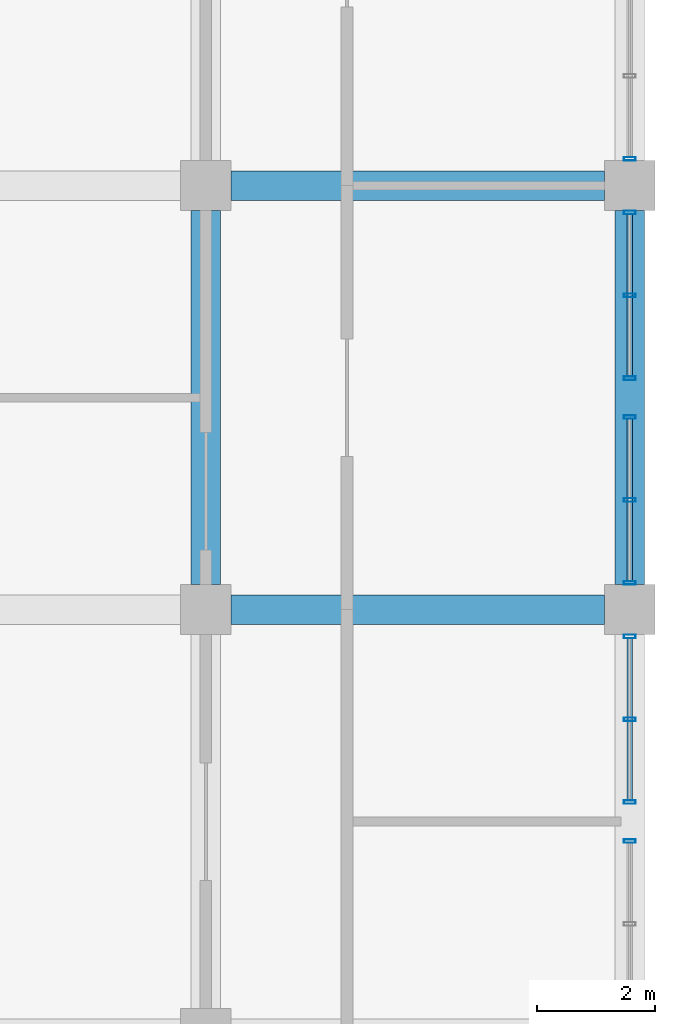
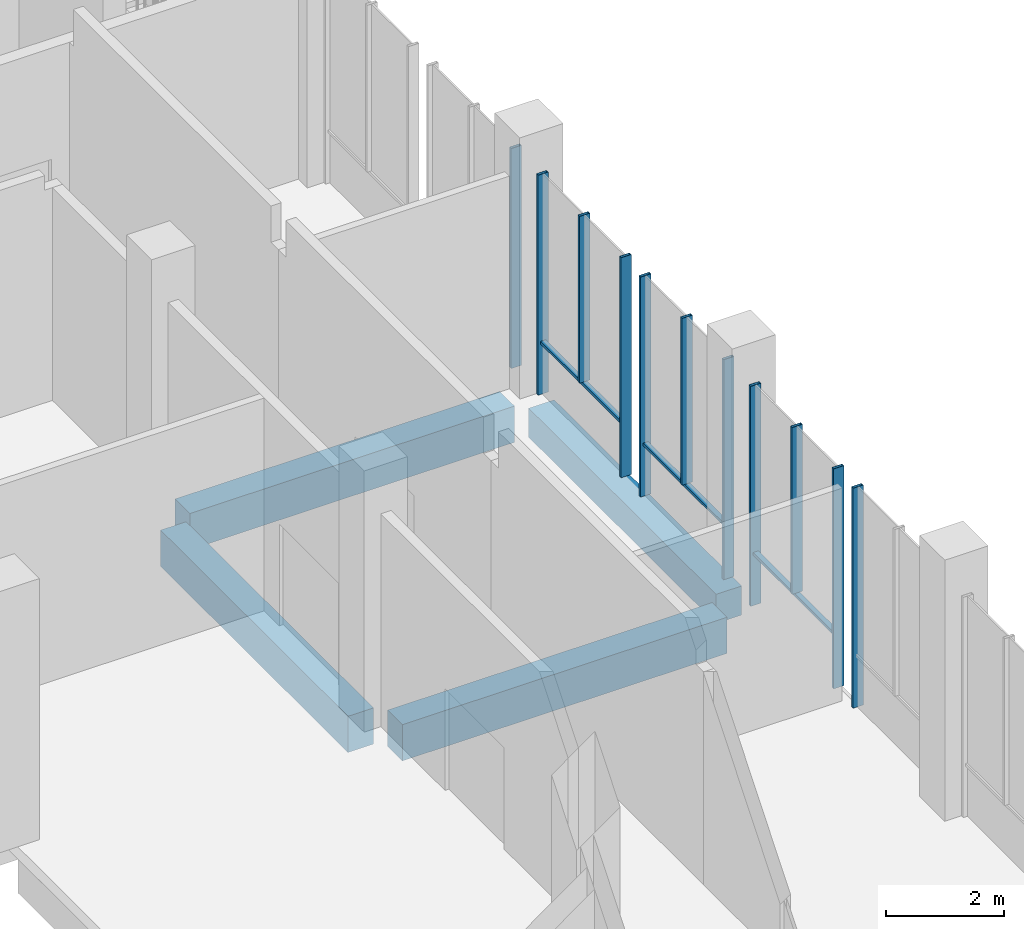
# One storey, part 17 of 48: 14 members, 4 beams, 5 elements without a shape of their own.
"""IFC4 building model written with IfcOpenShell, lengths in metres."""

import ifcopenshell
import ifcopenshell.guid

model = None  # the IFC model being written
_history = None  # IfcOwnerHistory: only IFC2X3 demands one
_inside = {}  # id of a spatial element -> (the spatial element, [elements in it])
_under = {}  # id of a project, library or spatial element -> (it, [spatial elements below it])
_declared = {}  # id of a project -> (the project, [libraries it declares])
_typed = {}  # id of a type object -> (the type object, [elements of that type])
_made_of = {}  # id of a material, layer set ... -> (it, [elements and type objects made of it])


def new_model(schema):
    """Start an empty IFC model of exactly this schema.

    Asked for "IFC4X3", IfcOpenShell would pick the latest addendum, in which some entities
    have other attributes; the version numbers below select the first issue.
    IFC2X3 requires an IfcOwnerHistory on every rooted entity: one is made here for all.
    """
    global model, _history
    if schema == "IFC4X3":
        model = ifcopenshell.file(schema_version=(4, 3, 0, 0))
    else:
        model = ifcopenshell.file(schema=schema)
    _inside.clear()
    _under.clear()
    _declared.clear()
    _typed.clear()
    _made_of.clear()
    _history = None
    if model.schema == "IFC2X3":
        org = make("IfcOrganization", Name="unknown")
        user = make(
            "IfcPersonAndOrganization",
            ThePerson=make("IfcPerson", FamilyName="unknown"),
            TheOrganization=org,
        )
        app = make(
            "IfcApplication",
            ApplicationDeveloper=org,
            Version="unknown",
            ApplicationFullName="unknown",
            ApplicationIdentifier="unknown",
        )
        _history = make(
            "IfcOwnerHistory",
            OwningUser=user,
            OwningApplication=app,
            ChangeAction="ADDED",
            CreationDate=0,
        )
    return model


def make(cls, **values):
    """One entity of the class cls with the attributes given. An attribute that is None is left unset."""
    return model.create_entity(
        cls, **{name: value for name, value in values.items() if value is not None}
    )


def rooted(cls, **values):
    """An entity with a GlobalId (a new one), such as an element, a storey or a relation."""
    return make(cls, GlobalId=ifcopenshell.guid.new(), OwnerHistory=_history, **values)


def si_unit(unit_type, name, prefix=None):
    """IfcSIUnit, for example si_unit("LENGTHUNIT", "METRE", prefix="MILLI")."""
    return make("IfcSIUnit", UnitType=unit_type, Prefix=prefix, Name=name)


def assignment(units):
    """IfcUnitAssignment: the units of a project."""
    return None if units is None else make("IfcUnitAssignment", Units=units)


def point(xyz):
    """IfcCartesianPoint."""
    return None if xyz is None else make("IfcCartesianPoint", Coordinates=xyz)


def direction(xyz):
    """IfcDirection."""
    return None if xyz is None else make("IfcDirection", DirectionRatios=xyz)


def frame(location, z_axis=None, x_axis=None):
    """IfcAxis2Placement3D, a coordinate frame: its origin and axes. An axis left out is left unset."""
    return make(
        "IfcAxis2Placement3D",
        Location=point(location),
        Axis=direction(z_axis),
        RefDirection=direction(x_axis),
    )


def frame_2d(location, x_axis=None):
    """IfcAxis2Placement2D, a coordinate frame in the plane: its origin and x axis."""
    return make(
        "IfcAxis2Placement2D", Location=point(location), RefDirection=direction(x_axis)
    )


def origin():
    """The frame at (0, 0, 0) with its axes left unset."""
    return frame((0.0, 0.0, 0.0))


def origin_2d():
    """The frame at (0, 0) in the plane with its x axis left unset."""
    return frame_2d((0.0, 0.0))


def place(relative_to, where):
    """IfcLocalPlacement: puts the frame where relative to a parent placement (None: the world)."""
    return make(
        "IfcLocalPlacement", PlacementRelTo=relative_to, RelativePlacement=where
    )


def context(
    kind, dimensions, precision=None, world=None, true_north=None, identifier=None
):
    """IfcGeometricRepresentationContext, for example the 3D "Model" context."""
    return make(
        "IfcGeometricRepresentationContext",
        ContextIdentifier=identifier,
        ContextType=kind,
        CoordinateSpaceDimension=dimensions,
        Precision=precision,
        WorldCoordinateSystem=world,
        TrueNorth=true_north,
    )


def subcontext(parent, identifier, kind, view, scale=None):
    """IfcGeometricRepresentationSubContext, for example "Body" below "Model"."""
    return make(
        "IfcGeometricRepresentationSubContext",
        ContextIdentifier=identifier,
        ContextType=kind,
        ParentContext=parent,
        TargetScale=scale,
        TargetView=view,
    )


def project(units=None, contexts=None):
    """IfcProject with its units and contexts."""
    return rooted(
        "IfcProject",
        Name="project",
        RepresentationContexts=contexts,
        UnitsInContext=assignment(units),
    )


def spatial(cls, under=None, at=None, **own):
    """A site, building, storey or space (cls), placed at a placement, below another one or the project."""
    s = rooted(cls, ObjectPlacement=at, **own)
    if under is not None:
        _under.setdefault(under.id(), (under, []))[1].append(s)
    return s


def profile(cls, at=None, kind="AREA", **sizes):
    """A parametric profile (cls). Its sizes go by their IFC names, for example OverallWidth=200.0."""
    return make(cls, ProfileType=kind, Position=at, **sizes)


def rectangle(**sizes):
    """IfcRectangleProfileDef."""
    return profile("IfcRectangleProfileDef", **sizes)


def hollow_rectangle(**sizes):
    """IfcRectangleHollowProfileDef."""
    return profile("IfcRectangleHollowProfileDef", **sizes)


def extrude(swept, where, along, depth):
    """IfcExtrudedAreaSolid: the profile swept, set in the frame where, extruded along a direction by depth."""
    return make(
        "IfcExtrudedAreaSolid",
        SweptArea=swept,
        Position=where,
        ExtrudedDirection=direction(along),
        Depth=depth,
    )


def shape(context_of_items, identifier, shape_type, items):
    """IfcShapeRepresentation: the items that make up one representation, for example the "Body"."""
    return make(
        "IfcShapeRepresentation",
        ContextOfItems=context_of_items,
        RepresentationIdentifier=identifier,
        RepresentationType=shape_type,
        Items=items,
    )


def material(Name=None, Category=None):
    """IfcMaterial."""
    return make("IfcMaterial", Name=Name, Category=Category)


def material_profile(
    of_material, cross_section, Name=None, Category=None, Priority=None
):
    """IfcMaterialProfile: a cross section and its material."""
    return make(
        "IfcMaterialProfile",
        Name=Name,
        Material=of_material,
        Profile=cross_section,
        Priority=Priority,
        Category=Category,
    )


def profile_set(profiles, Name=None, composite=None):
    """IfcMaterialProfileSet."""
    return make(
        "IfcMaterialProfileSet",
        Name=Name,
        MaterialProfiles=profiles,
        CompositeProfile=composite,
    )


def made_of(thing, what):
    """Note that an element or type object is made of a material, layer set ...; save() writes the relation."""
    if what is not None:
        _made_of.setdefault(what.id(), (what, []))[1].append(thing)
    return thing


def type_object(cls, material=None, **own):
    """A type object (cls), such as IfcWallType, which elements share."""
    return made_of(rooted(cls, **own), material)


def element(
    cls,
    number,
    at=None,
    inside=None,
    cuts=None,
    type_object=None,
    material=None,
    context=None,
    identifier="Body",
    shape_type=None,
    held_by="IfcProductDefinitionShape",
    body=None,
    shapes=None,
    **own,
):
    """One element of the class cls, such as IfcWall. Its Tag is "e" and its number.

    at: its placement. inside: the storey or other place that contains it. cuts: it is an
    opening in that element (IfcRelVoidsElement). A single representation is given by context,
    identifier, shape_type and body (its items); several are given by shapes. held_by: the class
    of the entity that holds the representations. save() writes the other relations.
    """
    e = rooted(cls, Tag="e%d" % number, ObjectPlacement=at, **own)
    if body is not None:
        shapes = [shape(context, identifier, shape_type, body)]
    if shapes is not None:
        e.Representation = make(held_by, Representations=shapes)
    if inside is not None:
        _inside.setdefault(inside.id(), (inside, []))[1].append(e)
    if cuts is not None:
        rooted(
            "IfcRelVoidsElement", RelatingBuildingElement=cuts, RelatedOpeningElement=e
        )
    if type_object is not None:
        _typed.setdefault(type_object.id(), (type_object, []))[1].append(e)
    return made_of(e, material)


def aggregate(whole, parts):
    """IfcRelAggregates: a whole, such as a stair, and the parts it consists of."""
    return rooted("IfcRelAggregates", RelatingObject=whole, RelatedObjects=parts)


def save(model, path):
    """Write the relations noted so far, then the file.

    IfcRelAggregates (storeys below a building ...), IfcRelContainedInSpatialStructure (elements
    in a storey), IfcRelDefinesByType, IfcRelAssociatesMaterial and IfcRelDeclares: one each for
    every whole, place, type object, material and project.
    """
    for whole, parts in _under.values():
        aggregate(whole, parts)
    for where, things in _inside.values():
        rooted(
            "IfcRelContainedInSpatialStructure",
            RelatedElements=things,
            RelatingStructure=where,
        )
    for kind, things in _typed.values():
        rooted("IfcRelDefinesByType", RelatedObjects=things, RelatingType=kind)
    for what, things in _made_of.values():
        rooted("IfcRelAssociatesMaterial", RelatedObjects=things, RelatingMaterial=what)
    for by, libraries in _declared.values():
        rooted("IfcRelDeclares", RelatingContext=by, RelatedDefinitions=libraries)
    model.write(path)


model = new_model("IFC4")

# Units and contexts
model_context = context("Model", 3, precision=1e-05, world=origin(), true_north=direction((0.0, 1.0)))
body_context = subcontext(model_context, "Body", "Model", "MODEL_VIEW")
ifc_project = project(units=[si_unit("LENGTHUNIT", "METRE"), si_unit("AREAUNIT", "SQUARE_METRE"), si_unit("VOLUMEUNIT", "CUBIC_METRE"), si_unit("PLANEANGLEUNIT", "RADIAN"), si_unit("MASSUNIT", "GRAM", prefix="KILO")], contexts=[model_context])

# Site, building, storey
site_placement = place(None, origin())
site = spatial("IfcSite", under=ifc_project, at=site_placement, CompositionType="ELEMENT")
building_placement = place(site_placement, origin())
building = spatial("IfcBuilding", under=site, at=building_placement, Name="Silangan Lancet Faculty of Sciences", CompositionType="ELEMENT")
storey_placement = place(building_placement, frame((0.0, 0.0, 6.0)))
storey = spatial("IfcBuildingStorey", under=building, at=storey_placement, Name="L01", CompositionType="ELEMENT", Elevation=6.0)

# Beams
ifc_material_1 = material(Name="Concrete C40/50", Category="concrete")
ifc_material_profile_1 = material_profile(ifc_material_1, rectangle(XDim=0.5, YDim=0.60009765625, at=origin_2d()), Name="RC 500x600")
ifc_profile_set_1 = profile_set([ifc_material_profile_1], Name="Concrete C40/50")
beam_type_1 = type_object("IfcBeamType", Name="BEAM RC 500x600", PredefinedType="BEAM", material=ifc_profile_set_1)
beam_1_placement = place(storey_placement, frame((86.39990234375, 36.425048828125, -0.550048828125), z_axis=(0.0, 1.0, 0.0), x_axis=(-1.0, 0.0, 0.0)))
element("IfcBeam", 1, at=beam_1_placement, inside=storey, type_object=beam_type_1, Name="BM-L01-13F-13G", PredefinedType="BEAM", context=body_context, shape_type="SweptSolid", body=[
    extrude(rectangle(XDim=0.5, YDim=0.60009765625, at=origin_2d()), origin(), (0.0, 0.0, 1.0), 6.349853515625),
])
ifc_material_2 = material(Name="Concrete C40/50", Category="concrete")
ifc_material_profile_2 = material_profile(ifc_material_2, rectangle(XDim=0.5, YDim=0.75, at=origin_2d()), Name="RC 500x750")
ifc_profile_set_2 = profile_set([ifc_material_profile_2], Name="Concrete C40/50")
beam_type_2 = type_object("IfcBeamType", Name="BEAM RC 500x750", PredefinedType="BEAM", material=ifc_profile_set_2)
for number, where, z_axis, x_axis, name in (
    (2, (79.625, 36.0, -0.625), (1.0, 0.0, 0.0), (0.0, 1.0, 0.0), "BM-L01-12F-13F"),
    (3, (79.625, 43.199951171875, -0.625), (1.0, 0.0, 0.0), (0.0, 1.0, 0.0), "BM-L01-12G-13G"),
):
    element("IfcBeam", number, at=place(storey_placement, frame(where, z_axis=z_axis, x_axis=x_axis)), inside=storey, type_object=beam_type_2, Name=name, PredefinedType="BEAM", context=body_context, shape_type="SweptSolid", body=[
        extrude(rectangle(XDim=0.5, YDim=0.75, at=origin_2d()), origin(), (0.0, 0.0, 1.0), 6.35009765625),
    ])
beam_2_placement = place(storey_placement, frame((79.199951171875, 36.425048828125, -0.625), z_axis=(0.0, 1.0, 0.0), x_axis=(-1.0, 0.0, 0.0)))
element("IfcBeam", 4, at=beam_2_placement, inside=storey, type_object=beam_type_2, Name="BM-L01-12F-12G", PredefinedType="BEAM", context=body_context, shape_type="SweptSolid", body=[
    extrude(rectangle(XDim=0.5, YDim=0.75, at=origin_2d()), origin(), (0.0, 0.0, 1.0), 6.349853515625),
])

# Curtain wall, member
ifc_material_3 = material(Name="Aluminium framed curtain wall with insulated glass", Category="aluminium")
curtain_wall_type = type_object("IfcCurtainWallType", Name="CW1 Commons and east block glazing", PredefinedType="NOTDEFINED", material=ifc_material_3)
curtain_wall_1_placement = place(storey_placement, origin())
curtain_wall_1 = element("IfcCurtainWall", 5, at=curtain_wall_1_placement, inside=storey, type_object=curtain_wall_type, Name="CW1 East commons L01 bay 7", PredefinedType="NOTDEFINED")
ifc_material_4 = material(Name="Aluminium 6063-T6 extrusion", Category="aluminium")
ifc_material_profile_3 = material_profile(ifc_material_4, hollow_rectangle(XDim=0.06005859375, YDim=0.199951171875, WallThickness=0.00390625, at=origin_2d()), Name="AL BOX 60x200x4")
ifc_profile_set_3 = profile_set([ifc_material_profile_3], Name="Aluminium 6063-T6 extrusion")
member_type_1 = type_object("IfcMemberType", Name="CM1 Mullion 60x200", PredefinedType="MULLION", material=ifc_profile_set_3)
member_1_placement = place(storey_placement, frame((86.39990234375, 32.06982421875, 0.0), z_axis=(0.0, 0.0, 1.0), x_axis=(0.0, 1.0, 0.0)))
member_1 = element("IfcMember", 6, at=member_1_placement, type_object=member_type_1, Name="CW1 East commons L01 bay 7 mullion 2", PredefinedType="MULLION", context=body_context, shape_type="SweptSolid", body=[
    extrude(hollow_rectangle(XDim=0.06005859375, YDim=0.199951171875, WallThickness=0.00390625, at=origin_2d()), origin(), (0.0, 0.0, 1.0), 4.550048828125),
])
aggregate(curtain_wall_1, [member_1])

# Curtain wall, members
curtain_wall_2_placement = place(storey_placement, origin())
curtain_wall_2 = element("IfcCurtainWall", 7, at=curtain_wall_2_placement, inside=storey, type_object=curtain_wall_type, Name="CW1 East commons L01 bay 8", PredefinedType="NOTDEFINED")
member_2_placement = place(storey_placement, frame((86.39990234375, 32.72998046875, 0.0), z_axis=(0.0, 0.0, 1.0), x_axis=(0.0, 1.0, 0.0)))
member_2 = element("IfcMember", 8, at=member_2_placement, type_object=member_type_1, Name="CW1 East commons L01 bay 8 mullion 1", PredefinedType="MULLION", context=body_context, shape_type="SweptSolid", body=[
    extrude(hollow_rectangle(XDim=0.06005859375, YDim=0.199951171875, WallThickness=0.00390625, at=origin_2d()), origin(), (0.0, 0.0, 1.0), 4.550048828125),
])
member_3_placement = place(storey_placement, frame((86.39990234375, 35.544921875, 0.0), z_axis=(0.0, 0.0, 1.0), x_axis=(0.0, 1.0, 0.0)))
member_3 = element("IfcMember", 9, at=member_3_placement, type_object=member_type_1, Name="CW1 East commons L01 bay 8 mullion 2", PredefinedType="MULLION", context=body_context, shape_type="SweptSolid", body=[
    extrude(hollow_rectangle(XDim=0.06005859375, YDim=0.199951171875, WallThickness=0.00390625, at=origin_2d()), origin(), (0.0, 0.0, 1.0), 4.550048828125),
])
member_4_placement = place(storey_placement, frame((86.39990234375, 34.137451171875, 1.10009765625), z_axis=(0.0, 0.0, 1.0), x_axis=(0.0, 1.0, 0.0)))
member_4 = element("IfcMember", 10, at=member_4_placement, type_object=member_type_1, Name="CW1 East commons L01 bay 8 mullion 3", PredefinedType="MULLION", context=body_context, shape_type="SweptSolid", body=[
    extrude(hollow_rectangle(XDim=0.06005859375, YDim=0.199951171875, WallThickness=0.00390625, at=origin_2d()), origin(), (0.0, 0.0, 1.0), 3.449951171875),
])

curtain_wall_3_placement = place(storey_placement, origin())
curtain_wall_3 = element("IfcCurtainWall", 11, at=curtain_wall_3_placement, inside=storey, type_object=curtain_wall_type, Name="CW1 East commons L01 bay 9", PredefinedType="NOTDEFINED")
member_5_placement = place(storey_placement, frame((86.39990234375, 36.455078125, 0.0), z_axis=(0.0, 0.0, 1.0), x_axis=(0.0, 1.0, 0.0)))
member_5 = element("IfcMember", 12, at=member_5_placement, type_object=member_type_1, Name="CW1 East commons L01 bay 9 mullion 1", PredefinedType="MULLION", context=body_context, shape_type="SweptSolid", body=[
    extrude(hollow_rectangle(XDim=0.06005859375, YDim=0.199951171875, WallThickness=0.00390625, at=origin_2d()), origin(), (0.0, 0.0, 1.0), 4.550048828125),
])
member_6_placement = place(storey_placement, frame((86.39990234375, 39.27001953125, 0.0), z_axis=(0.0, 0.0, 1.0), x_axis=(0.0, 1.0, 0.0)))
member_6 = element("IfcMember", 13, at=member_6_placement, type_object=member_type_1, Name="CW1 East commons L01 bay 9 mullion 2", PredefinedType="MULLION", context=body_context, shape_type="SweptSolid", body=[
    extrude(hollow_rectangle(XDim=0.06005859375, YDim=0.199951171875, WallThickness=0.00390625, at=origin_2d()), origin(), (0.0, 0.0, 1.0), 4.550048828125),
])
member_7_placement = place(storey_placement, frame((86.39990234375, 37.862548828125, 1.10009765625), z_axis=(0.0, 0.0, 1.0), x_axis=(0.0, 1.0, 0.0)))
member_7 = element("IfcMember", 14, at=member_7_placement, type_object=member_type_1, Name="CW1 East commons L01 bay 9 mullion 3", PredefinedType="MULLION", context=body_context, shape_type="SweptSolid", body=[
    extrude(hollow_rectangle(XDim=0.06005859375, YDim=0.199951171875, WallThickness=0.00390625, at=origin_2d()), origin(), (0.0, 0.0, 1.0), 3.449951171875),
])

curtain_wall_4_placement = place(storey_placement, origin())
curtain_wall_4 = element("IfcCurtainWall", 15, at=curtain_wall_4_placement, inside=storey, type_object=curtain_wall_type, Name="CW1 East commons L01 bay 10", PredefinedType="NOTDEFINED")
member_8_placement = place(storey_placement, frame((86.39990234375, 39.93017578125, 0.0), z_axis=(0.0, 0.0, 1.0), x_axis=(0.0, 1.0, 0.0)))
member_8 = element("IfcMember", 16, at=member_8_placement, type_object=member_type_1, Name="CW1 East commons L01 bay 10 mullion 1", PredefinedType="MULLION", context=body_context, shape_type="SweptSolid", body=[
    extrude(hollow_rectangle(XDim=0.06005859375, YDim=0.199951171875, WallThickness=0.00390625, at=origin_2d()), origin(), (0.0, 0.0, 1.0), 4.550048828125),
])
member_9_placement = place(storey_placement, frame((86.39990234375, 42.7451171875, 0.0), z_axis=(0.0, 0.0, 1.0), x_axis=(0.0, 1.0, 0.0)))
member_9 = element("IfcMember", 17, at=member_9_placement, type_object=member_type_1, Name="CW1 East commons L01 bay 10 mullion 2", PredefinedType="MULLION", context=body_context, shape_type="SweptSolid", body=[
    extrude(hollow_rectangle(XDim=0.06005859375, YDim=0.199951171875, WallThickness=0.00390625, at=origin_2d()), origin(), (0.0, 0.0, 1.0), 4.550048828125),
])
member_10_placement = place(storey_placement, frame((86.39990234375, 41.337646484375, 1.10009765625), z_axis=(0.0, 0.0, 1.0), x_axis=(0.0, 1.0, 0.0)))
member_10 = element("IfcMember", 18, at=member_10_placement, type_object=member_type_1, Name="CW1 East commons L01 bay 10 mullion 3", PredefinedType="MULLION", context=body_context, shape_type="SweptSolid", body=[
    extrude(hollow_rectangle(XDim=0.06005859375, YDim=0.199951171875, WallThickness=0.00390625, at=origin_2d()), origin(), (0.0, 0.0, 1.0), 3.449951171875),
])

# Curtain wall, member
curtain_wall_5_placement = place(storey_placement, origin())
curtain_wall_5 = element("IfcCurtainWall", 19, at=curtain_wall_5_placement, inside=storey, type_object=curtain_wall_type, Name="CW1 East commons L01 bay 11", PredefinedType="NOTDEFINED")
member_11_placement = place(storey_placement, frame((86.39990234375, 43.655029296875, 0.0), z_axis=(0.0, 0.0, 1.0), x_axis=(0.0, 1.0, 0.0)))
member_11 = element("IfcMember", 20, at=member_11_placement, type_object=member_type_1, Name="CW1 East commons L01 bay 11 mullion 1", PredefinedType="MULLION", context=body_context, shape_type="SweptSolid", body=[
    extrude(hollow_rectangle(XDim=0.06005859375, YDim=0.199951171875, WallThickness=0.00390625, at=origin_2d()), origin(), (0.0, 0.0, 1.0), 4.550048828125),
])
aggregate(curtain_wall_5, [member_11])

# Member
ifc_material_5 = material(Name="Aluminium 6063-T6 extrusion", Category="aluminium")
ifc_material_profile_4 = material_profile(ifc_material_5, hollow_rectangle(XDim=0.10009765625, YDim=0.06005859375, WallThickness=0.0029296875, at=origin_2d()), Name="AL BOX 100x60x3")
ifc_profile_set_4 = profile_set([ifc_material_profile_4], Name="Aluminium 6063-T6 extrusion")
member_type_2 = type_object("IfcMemberType", Name="CT1 Transom 100x60", PredefinedType="USERDEFINED", material=ifc_profile_set_4)
member_12_placement = place(storey_placement, frame((86.39990234375, 32.760009765625, 1.070068359375), z_axis=(0.0, 1.0, 0.0), x_axis=(-1.0, 0.0, 0.0)))
member_12 = element("IfcMember", 21, at=member_12_placement, type_object=member_type_2, Name="CW1 East commons L01 bay 8 transom 1", ObjectType="TRANSOM", PredefinedType="USERDEFINED", context=body_context, shape_type="SweptSolid", body=[
    extrude(hollow_rectangle(XDim=0.10009765625, YDim=0.06005859375, WallThickness=0.0029296875, at=origin_2d()), origin(), (0.0, 0.0, 1.0), 2.7548828125),
])

aggregate(curtain_wall_2, [member_2, member_3, member_4, member_12])

member_13_placement = place(storey_placement, frame((86.39990234375, 36.485107421875, 1.070068359375), z_axis=(0.0, 1.0, 0.0), x_axis=(-1.0, 0.0, 0.0)))
member_13 = element("IfcMember", 22, at=member_13_placement, type_object=member_type_2, Name="CW1 East commons L01 bay 9 transom 1", ObjectType="TRANSOM", PredefinedType="USERDEFINED", context=body_context, shape_type="SweptSolid", body=[
    extrude(hollow_rectangle(XDim=0.10009765625, YDim=0.06005859375, WallThickness=0.0029296875, at=origin_2d()), origin(), (0.0, 0.0, 1.0), 2.7548828125),
])

aggregate(curtain_wall_3, [member_5, member_6, member_7, member_13])

member_14_placement = place(storey_placement, frame((86.39990234375, 39.960205078125, 1.070068359375), z_axis=(0.0, 1.0, 0.0), x_axis=(-1.0, 0.0, 0.0)))
member_14 = element("IfcMember", 23, at=member_14_placement, type_object=member_type_2, Name="CW1 East commons L01 bay 10 transom 1", ObjectType="TRANSOM", PredefinedType="USERDEFINED", context=body_context, shape_type="SweptSolid", body=[
    extrude(hollow_rectangle(XDim=0.10009765625, YDim=0.06005859375, WallThickness=0.0029296875, at=origin_2d()), origin(), (0.0, 0.0, 1.0), 2.7548828125),
])

aggregate(curtain_wall_4, [member_8, member_9, member_10, member_14])

save(model, "model.ifc")
